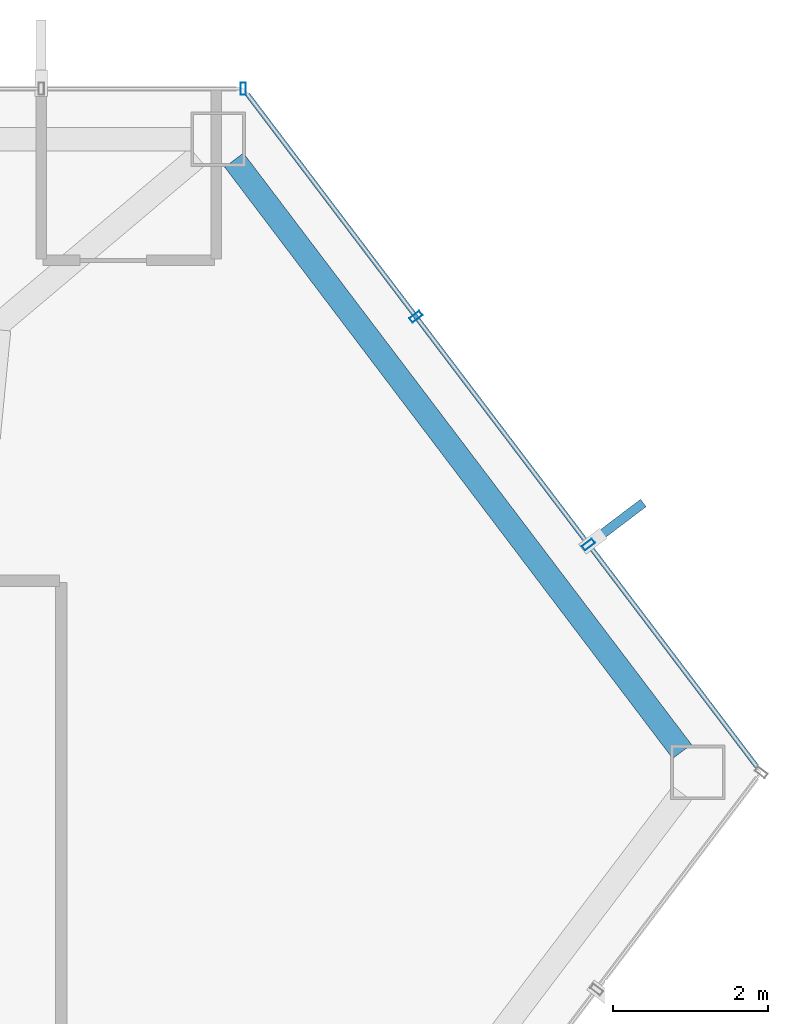
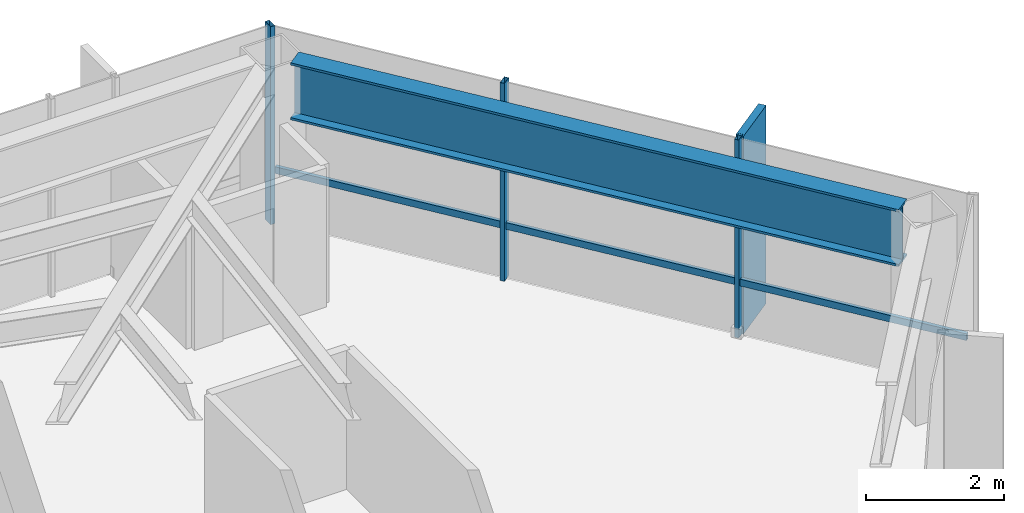
# One storey, part 23 of 28: 5 members, 1 beam, 2 elements without a shape of their own.
"""IFC4 building model written with IfcOpenShell, lengths in metres."""

from ifc_helpers import new_model, si_unit, direction, frame, origin, origin_2d, place, context, subcontext, project, spatial, rectangle, hollow_rectangle, i_section, extrude, material, layer, layer_set, material_profile, profile_set, type_object, element, aggregate, save


model = new_model("IFC4")

# Units and contexts
model_context = context("Model", 3, precision=1e-05, world=origin(), true_north=direction((0.0, 1.0)))
body_context = subcontext(model_context, "Body", "Model", "MODEL_VIEW")
ifc_project = project(units=[si_unit("LENGTHUNIT", "METRE"), si_unit("AREAUNIT", "SQUARE_METRE"), si_unit("VOLUMEUNIT", "CUBIC_METRE"), si_unit("PLANEANGLEUNIT", "RADIAN"), si_unit("MASSUNIT", "GRAM", prefix="KILO")], contexts=[model_context])

# Site, building, storey
site_placement = place(None, origin())
site = spatial("IfcSite", under=ifc_project, at=site_placement, CompositionType="ELEMENT")
building_placement = place(site_placement, origin())
building = spatial("IfcBuilding", under=site, at=building_placement, Name="Zarrinselat Tower", CompositionType="ELEMENT")
storey_placement = place(building_placement, frame((0.0, 0.0, 168.300048828125)))
storey = spatial("IfcBuildingStorey", under=building, at=storey_placement, Name="L41", CompositionType="ELEMENT", Elevation=168.300048828125)

# Beam
ifc_material_1 = material(Name="Steel S460M", Category="steel")
ifc_material_profile_1 = material_profile(ifc_material_1, i_section(OverallWidth=0.302001953125, OverallDepth=1.008056640625, WebThickness=0.02099609375, FlangeThickness=0.0400390625, at=origin_2d()), Name="HEM 1000")
ifc_profile_set_1 = profile_set([ifc_material_profile_1], Name="Steel S460M")
beam_type = type_object("IfcBeamType", Name="BM-HEM1000", PredefinedType="BEAM", material=ifc_profile_set_1)
beam_placement = place(storey_placement, frame((56.227783203125, 47.91943359375, 2.995849609375), z_axis=(0.603856212218, -0.797093266165, 0.0), x_axis=(0.797093266165, 0.603856212218, 0.0)))
element("IfcBeam", 1, at=beam_placement, inside=storey, type_object=beam_type, Name="L41 Perimeter Spandrel Girder SP15", PredefinedType="BEAM", context=body_context, shape_type="SweptSolid", body=[
    extrude(i_section(OverallWidth=0.302001953125, OverallDepth=1.008056640625, WebThickness=0.02099609375, FlangeThickness=0.0400390625, at=origin_2d()), origin(), (0.0, 0.0, 1.0), 9.55517578125),
])

# Curtain wall, member
ifc_material_2 = material(Name="Extruded Aluminium Alloy EN AW-6063 T6", Category="aluminium")
ifc_layer = layer(ifc_material_2, 0.175048828125)
ifc_layer_set = layer_set([ifc_layer], Name="Extruded Aluminium Alloy EN AW-6063 T6")
curtain_wall_type = type_object("IfcCurtainWallType", Name="CWS-HTL", PredefinedType="NOTDEFINED", material=ifc_layer_set)
curtain_wall_1_placement = place(storey_placement, origin())
curtain_wall_1 = element("IfcCurtainWall", 2, at=curtain_wall_1_placement, inside=storey, type_object=curtain_wall_type, Name="L41 Unitised Curtain Wall CW-L41-E01", PredefinedType="NOTDEFINED")
ifc_material_3 = material(Name="Extruded Aluminium Alloy EN AW-6063 T6", Category="aluminium")
ifc_material_profile_2 = material_profile(ifc_material_3, hollow_rectangle(XDim=0.070068359375, YDim=0.159912109375, WallThickness=0.00390625, at=origin_2d()), Name="RHS 160x70x4")
ifc_profile_set_2 = profile_set([ifc_material_profile_2], Name="Extruded Aluminium Alloy EN AW-6063 T6")
member_type_1 = type_object("IfcMemberType", Name="MEM-CW-MUL2", PredefinedType="MULLION", material=ifc_profile_set_2)
member_1_placement = place(storey_placement, frame((56.3466796875, 48.8388671875, 0.0), z_axis=(0.0, 0.0, 1.0), x_axis=(-1.0, 0.0, 0.0)))
member_1 = element("IfcMember", 3, at=member_1_placement, type_object=member_type_1, Name="CW-L41-E01 Mullion 0", PredefinedType="MULLION", context=body_context, shape_type="SweptSolid", body=[
    extrude(hollow_rectangle(XDim=0.070068359375, YDim=0.159912109375, WallThickness=0.00390625, at=origin_2d()), origin(), (0.0, 0.0, 1.0), 3.5),
])
aggregate(curtain_wall_1, [member_1])

# Curtain wall, members
curtain_wall_2_placement = place(storey_placement, origin())
curtain_wall_2 = element("IfcCurtainWall", 4, at=curtain_wall_2_placement, inside=storey, type_object=curtain_wall_type, Name="L41 Unitised Curtain Wall CW-L41-E06", PredefinedType="NOTDEFINED")
member_2_placement = place(storey_placement, frame((60.793701171875, 42.96875, 0.0), z_axis=(0.0, 0.0, 1.0), x_axis=(-0.603857339419, 0.797092412227, 0.0)))
member_2 = element("IfcMember", 5, at=member_2_placement, type_object=member_type_1, Name="CW-L41-E06 Mullion 1", PredefinedType="MULLION", context=body_context, shape_type="SweptSolid", body=[
    extrude(hollow_rectangle(XDim=0.070068359375, YDim=0.159912109375, WallThickness=0.00390625, at=origin_2d()), origin(), (0.0, 0.0, 1.0), 3.5),
])
member_3_placement = place(storey_placement, frame((58.5703125, 45.90380859375, 0.0), z_axis=(0.0, 0.0, 1.0), x_axis=(-0.603857339419, 0.797092412227, 0.0)))
member_3 = element("IfcMember", 6, at=member_3_placement, type_object=member_type_1, Name="CW-L41-E06 Mullion 2", PredefinedType="MULLION", context=body_context, shape_type="SweptSolid", body=[
    extrude(hollow_rectangle(XDim=0.070068359375, YDim=0.159912109375, WallThickness=0.00390625, at=origin_2d()), origin(), (0.0, 0.0, 1.0), 3.5),
])
ifc_material_4 = material(Name="Extruded Aluminium Alloy EN AW-6063 T6", Category="aluminium")
ifc_material_profile_3 = material_profile(ifc_material_4, hollow_rectangle(XDim=0.06005859375, YDim=0.1201171875, WallThickness=0.00390625, at=origin_2d()), Name="RHS 120x60x4")
ifc_profile_set_3 = profile_set([ifc_material_profile_3], Name="Extruded Aluminium Alloy EN AW-6063 T6")
member_type_2 = type_object("IfcMemberType", Name="MEM-CW-TRN2", PredefinedType="USERDEFINED", material=ifc_profile_set_3)
member_4_placement = place(storey_placement, frame((62.962890625, 40.10546875, 0.949951171875), z_axis=(-0.603868069429, 0.797084283325, 0.0), x_axis=(-0.797084283325, -0.603868069429, 0.0)))
member_4 = element("IfcMember", 7, at=member_4_placement, type_object=member_type_2, Name="CW-L41-E06 Transom 1", ObjectType="TRANSOM", PredefinedType="USERDEFINED", context=body_context, shape_type="SweptSolid", body=[
    extrude(hollow_rectangle(XDim=0.06005859375, YDim=0.1201171875, WallThickness=0.00390625, at=origin_2d()), origin(), (0.0, 0.0, 1.0), 10.86669921875),
])
ifc_material_5 = material(Name="Honed Cream Travertine Stone", Category="masonry")
ifc_material_profile_4 = material_profile(ifc_material_5, rectangle(XDim=0.1201171875, YDim=0.85009765625, at=origin_2d()), Name="FIN 850x120")
ifc_profile_set_4 = profile_set([ifc_material_profile_4], Name="Honed Cream Travertine Stone")
member_type_3 = type_object("IfcMemberType", Name="MEM-STONE-FIN", PredefinedType="USERDEFINED", material=ifc_profile_set_4)
member_5_placement = place(storey_placement, frame((61.160400390625, 43.24658203125, 0.0), z_axis=(0.0, 0.0, 1.0), x_axis=(0.603857339419, -0.797092412227, 0.0)))
member_5 = element("IfcMember", 8, at=member_5_placement, type_object=member_type_3, Name="L41 Stone Shading Fin CW-L41-E06-01", ObjectType="FIN", PredefinedType="USERDEFINED", context=body_context, shape_type="SweptSolid", body=[
    extrude(rectangle(XDim=0.1201171875, YDim=0.85009765625, at=origin_2d()), origin(), (0.0, 0.0, 1.0), 3.5),
])
aggregate(curtain_wall_2, [member_2, member_5, member_3, member_4])

save(model, "model.ifc")
